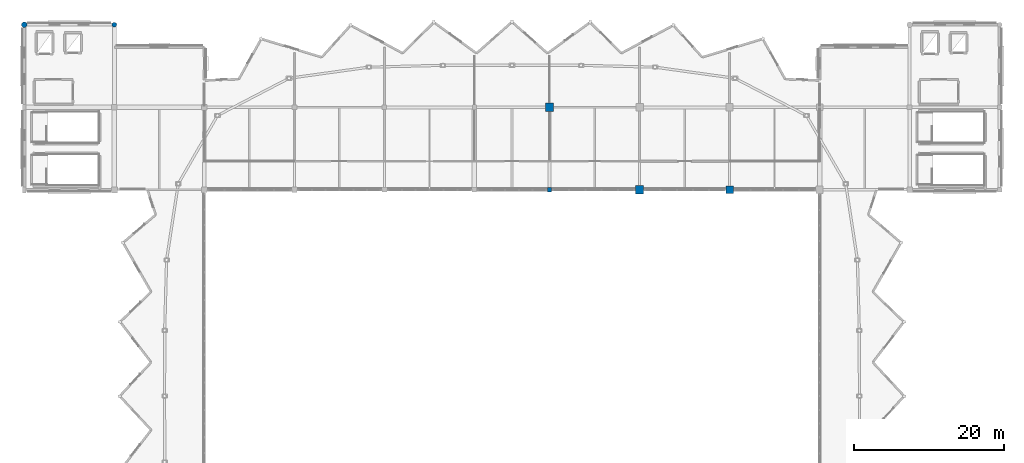
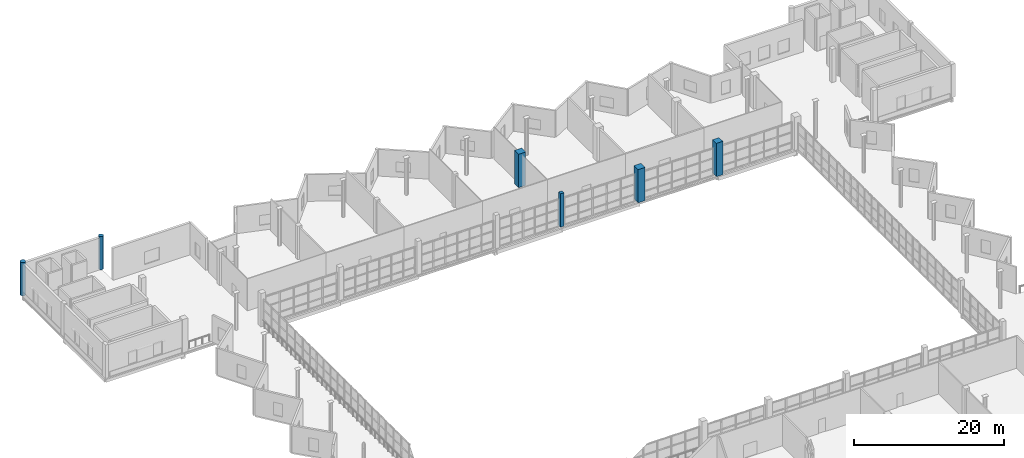
# One storey, part 8 of 49: 6 columns.
"""IFC4 building model written with IfcOpenShell, lengths in metres."""

from ifc_helpers import new_model, si_unit, direction, frame, origin, origin_2d, place, context, subcontext, project, spatial, rectangle, circle, extrude, material, material_profile, profile_set, type_object, element, save


model = new_model("IFC4")

# Units and contexts
model_context = context("Model", 3, precision=1e-05, world=origin(), true_north=direction((0.0, 1.0)))
body_context = subcontext(model_context, "Body", "Model", "MODEL_VIEW")
ifc_project = project(units=[si_unit("LENGTHUNIT", "METRE"), si_unit("AREAUNIT", "SQUARE_METRE"), si_unit("VOLUMEUNIT", "CUBIC_METRE"), si_unit("PLANEANGLEUNIT", "RADIAN"), si_unit("MASSUNIT", "GRAM", prefix="KILO")], contexts=[model_context])

# Site, building, storey
site_placement = place(None, origin())
site = spatial("IfcSite", under=ifc_project, at=site_placement, CompositionType="ELEMENT")
building_placement = place(site_placement, origin())
building = spatial("IfcBuilding", under=site, at=building_placement, Name="Luwafu Chhajja Arena", CompositionType="ELEMENT")
storey_placement = place(building_placement, frame((0.0, 0.0, 24.300048828125)))
storey = spatial("IfcBuildingStorey", under=building, at=storey_placement, Name="L05", CompositionType="ELEMENT", Elevation=24.300048828125)

# Columns
ifc_material_1 = material(Name="Concrete C40/50", Category="concrete")
ifc_material_profile_1 = material_profile(ifc_material_1, rectangle(XDim=1.0, YDim=1.0, at=origin_2d()), Name="RC 1000x1000")
ifc_profile_set_1 = profile_set([ifc_material_profile_1], Name="Concrete C40/50")
column_type_1 = type_object("IfcColumnType", Name="Bowl Primary Column RC 1000", PredefinedType="COLUMN", material=ifc_profile_set_1)
column_1_placement = place(storey_placement, frame((128.0, 77.0, 0.0), z_axis=(0.0, 0.0, 1.0), x_axis=(1.0, 0.0, 0.0)))
element("IfcColumn", 1, at=column_1_placement, inside=storey, type_object=column_type_1, Name="L05 Grid Column 12/H", PredefinedType="COLUMN", context=body_context, shape_type="SweptSolid", body=[
    extrude(rectangle(XDim=1.0, YDim=1.0, at=origin_2d()), origin(), (0.0, 0.0, 1.0), 5.39990234375),
])
ifc_material_profile_2 = material_profile(ifc_material_1, rectangle(XDim=1.10009765625, YDim=1.10009765625, at=origin_2d()), Name="RC 1100x1100")
ifc_profile_set_2 = profile_set([ifc_material_profile_2], Name="Concrete C40/50")
column_type_2 = type_object("IfcColumnType", Name="Bowl Rim Mega Column RC 1100", PredefinedType="COLUMN", material=ifc_profile_set_2)
for number, where, z_axis, x_axis, name in (
    (2, (104.0, 88.0, 0.0), (0.0, 0.0, 1.0), (1.0, 0.0, 0.0), "L05 Grid Column 10/J"),
    (3, (116.0, 77.0, 0.0), (0.0, 0.0, 1.0), (1.0, 0.0, 0.0), "L05 Grid Column 11/H"),
):
    element("IfcColumn", number, at=place(storey_placement, frame(where, z_axis=z_axis, x_axis=x_axis)), inside=storey, type_object=column_type_2, Name=name, PredefinedType="COLUMN", context=body_context, shape_type="SweptSolid", body=[
        extrude(rectangle(XDim=1.10009765625, YDim=1.10009765625, at=origin_2d()), origin(), (0.0, 0.0, 1.0), 5.39990234375),
    ])
ifc_material_2 = material(Name="Concrete C35/45", Category="concrete")
ifc_material_profile_3 = material_profile(ifc_material_2, circle(Radius=0.375, at=origin_2d()), Name="RC COL D750")
ifc_profile_set_3 = profile_set([ifc_material_profile_3], Name="Concrete C35/45")
column_type_3 = type_object("IfcColumnType", Name="Charbagh Cloister Pier D750", PredefinedType="COLUMN", material=ifc_profile_set_3)
column_2_placement = place(storey_placement, frame((34.0, 99.0, 0.0), z_axis=(0.0, 0.0, 1.0), x_axis=(1.0, 0.0, 0.0)))
element("IfcColumn", 4, at=column_2_placement, inside=storey, type_object=column_type_3, Name="L05 Grid Column 4/K", PredefinedType="COLUMN", context=body_context, shape_type="SweptSolid", body=[
    extrude(circle(Radius=0.375, at=origin_2d()), origin(), (0.0, 0.0, 1.0), 5.39990234375),
])
ifc_material_profile_4 = material_profile(ifc_material_2, circle(Radius=0.324951171875, at=origin_2d()), Name="RC COL D650")
ifc_profile_set_4 = profile_set([ifc_material_profile_4], Name="Concrete C35/45")
column_type_4 = type_object("IfcColumnType", Name="Courtyard Arcade Pier D650", PredefinedType="COLUMN", material=ifc_profile_set_4)
column_3_placement = place(storey_placement, frame((46.0, 99.0, 0.0), z_axis=(0.0, 0.0, 1.0), x_axis=(1.0, 0.0, 0.0)))
element("IfcColumn", 5, at=column_3_placement, inside=storey, type_object=column_type_4, Name="L05 Grid Column 5/K", PredefinedType="COLUMN", context=body_context, shape_type="SweptSolid", body=[
    extrude(circle(Radius=0.324951171875, at=origin_2d()), origin(), (0.0, 0.0, 1.0), 5.39990234375),
])
ifc_material_profile_5 = material_profile(ifc_material_2, rectangle(XDim=0.550048828125, YDim=0.550048828125, at=origin_2d()), Name="RC 550x550")
ifc_profile_set_5 = profile_set([ifc_material_profile_5], Name="Concrete C35/45")
column_type_5 = type_object("IfcColumnType", Name="Gallery Column RC 550", PredefinedType="COLUMN", material=ifc_profile_set_5)
column_4_placement = place(storey_placement, frame((104.0, 77.0, 0.0), z_axis=(0.0, 0.0, 1.0), x_axis=(1.0, 0.0, 0.0)))
element("IfcColumn", 6, at=column_4_placement, inside=storey, type_object=column_type_5, Name="L05 Grid Column 10/H", PredefinedType="COLUMN", context=body_context, shape_type="SweptSolid", body=[
    extrude(rectangle(XDim=0.550048828125, YDim=0.550048828125, at=origin_2d()), origin(), (0.0, 0.0, 1.0), 5.39990234375),
])

save(model, "model.ifc")
